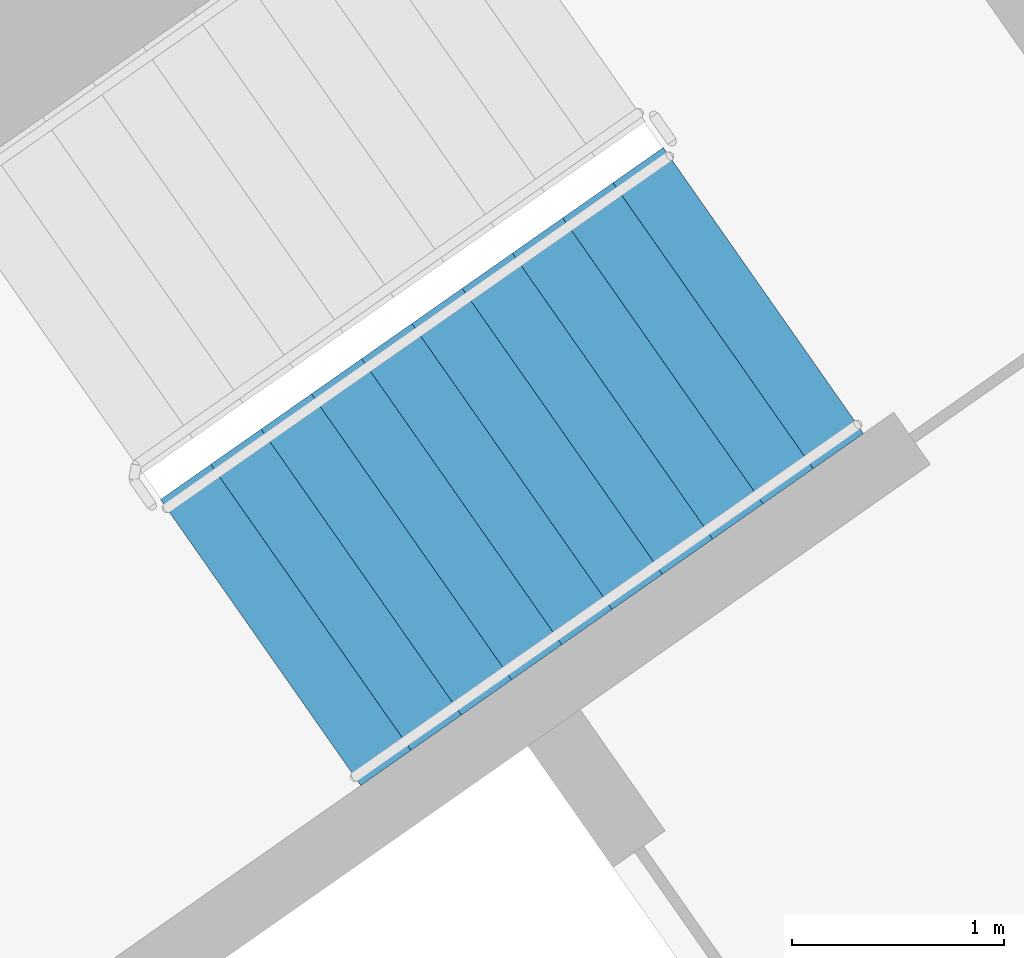
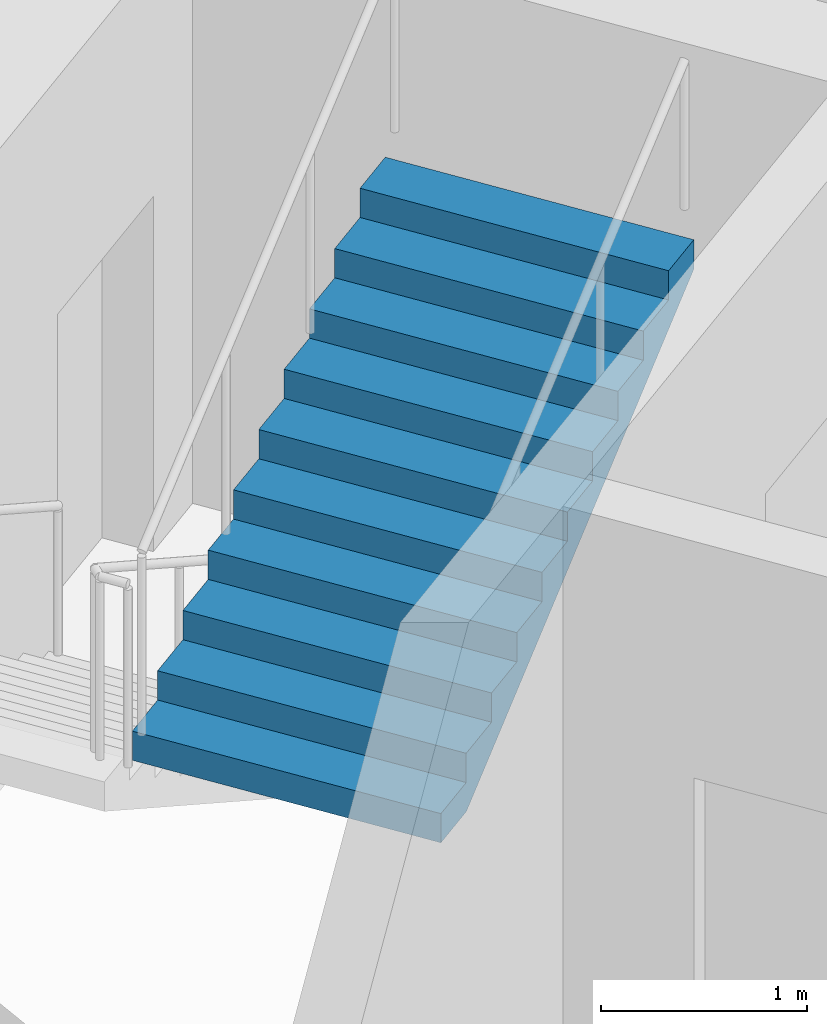
# One storey, part 14 of 28: 1 stair flight, 1 element without a shape of its own.
"""IFC4 building model written with IfcOpenShell, lengths in metres."""

from ifc_helpers import new_model, si_unit, direction, frame, origin, place, context, subcontext, project, spatial, faceted_brep, material, type_object, element, aggregate, save


model = new_model("IFC4")

# Units and contexts
model_context = context("Model", 3, precision=1e-05, world=origin(), true_north=direction((0.0, 1.0)))
body_context = subcontext(model_context, "Body", "Model", "MODEL_VIEW")
ifc_project = project(units=[si_unit("LENGTHUNIT", "METRE"), si_unit("AREAUNIT", "SQUARE_METRE"), si_unit("VOLUMEUNIT", "CUBIC_METRE"), si_unit("PLANEANGLEUNIT", "RADIAN"), si_unit("MASSUNIT", "GRAM", prefix="KILO")], contexts=[model_context])

# Site, building, storey
site_placement = place(None, origin())
site = spatial("IfcSite", under=ifc_project, at=site_placement, CompositionType="ELEMENT")
building_placement = place(site_placement, origin())
building = spatial("IfcBuilding", under=site, at=building_placement, Name="Qamariyya Broadcast Tower", CompositionType="ELEMENT")
storey_placement = place(building_placement, frame((0.0, 0.0, 245.5)))
storey = spatial("IfcBuildingStorey", under=building, at=storey_placement, Name="L59", CompositionType="ELEMENT", Elevation=245.5)

# Stair, stair flight
ifc_material = material(Name="Concrete C50/60", Category="concrete")
stair_type = type_object("IfcStairType", Name="Exit stair 22 risers of 173 mm", PredefinedType="HALF_TURN_STAIR", material=ifc_material)
stair_placement = place(storey_placement, origin())
stair = element("IfcStair", 1, at=stair_placement, inside=storey, type_object=stair_type, Name="L59 Stair E2", PredefinedType="HALF_TURN_STAIR")
stair_flight_type = type_object("IfcStairFlightType", Name="Exit stair flight 11 risers of 173 mm", PredefinedType="STRAIGHT", material=ifc_material)
stair_flight_placement = place(storey_placement, frame((39.215576171875, -50.822998046875, 1.89990234375), z_axis=(0.0, 0.0, 1.0), x_axis=(0.819152044289, 0.573576436351, 0.0)))
stair_flight = element("IfcStairFlight", 2, at=stair_flight_placement, type_object=stair_flight_type, Name="ST-E2 flight 2", NumberOfRisers=11, NumberOfTreads=10, PredefinedType="STRAIGHT", RiserHeight=0.172727273, TreadLength=0.29, context=body_context, shape_type="Brep", body=[
    faceted_brep([(0.0, 0.824951171875, 0.0), (0.0, 0.824951171875, 0.172607421875), (0.2900390625, 0.824951171875, 0.172607421875), (0.2900390625, 0.824951171875, 0.345458984375), (0.580078125, 0.824951171875, 0.345458984375), (0.580078125, 0.824951171875, 0.51806640625), (0.8701171875, 0.824951171875, 0.51806640625), (0.8701171875, 0.824951171875, 0.69091796875), (1.159912109375, 0.824951171875, 0.69091796875), (1.159912109375, 0.824951171875, 0.863525390625), (1.449951171875, 0.824951171875, 0.863525390625), (1.449951171875, 0.824951171875, 1.036376953125), (1.739990234375, 0.824951171875, 1.036376953125), (1.739990234375, 0.824951171875, 1.208984375), (2.030029296875, 0.824951171875, 1.208984375), (2.030029296875, 0.824951171875, 1.3818359375), (2.320068359375, 0.824951171875, 1.3818359375), (2.320068359375, 0.824951171875, 1.554443359375), (2.610107421875, 0.824951171875, 1.554443359375), (2.610107421875, 0.824951171875, 1.727294921875), (2.89990234375, 0.824951171875, 1.727294921875), (2.89990234375, 0.824951171875, 1.552734375), (0.29296875, 0.824951171875, 0.0), (0.29296875, -0.824951171875, 0.0), (2.89990234375, -0.824951171875, 1.552734375), (2.89990234375, -0.824951171875, 1.727294921875), (2.610107421875, -0.824951171875, 1.727294921875), (2.610107421875, -0.824951171875, 1.554443359375), (2.320068359375, -0.824951171875, 1.554443359375), (2.320068359375, -0.824951171875, 1.3818359375), (2.030029296875, -0.824951171875, 1.3818359375), (2.030029296875, -0.824951171875, 1.208984375), (1.739990234375, -0.824951171875, 1.208984375), (1.739990234375, -0.824951171875, 1.036376953125), (1.449951171875, -0.824951171875, 1.036376953125), (1.449951171875, -0.824951171875, 0.863525390625), (1.159912109375, -0.824951171875, 0.863525390625), (1.159912109375, -0.824951171875, 0.69091796875), (0.8701171875, -0.824951171875, 0.69091796875), (0.8701171875, -0.824951171875, 0.51806640625), (0.580078125, -0.824951171875, 0.51806640625), (0.580078125, -0.824951171875, 0.345458984375), (0.2900390625, -0.824951171875, 0.345458984375), (0.2900390625, -0.824951171875, 0.172607421875), (0.0, -0.824951171875, 0.172607421875), (0.0, -0.824951171875, 0.0), (0.0, 0.10009765625, 0.0), (0.0, 0.086669921875, 0.0), (0.0, 0.0732421875, 0.0), (0.0, 0.06005859375, 0.0), (0.0, 0.046630859375, 0.0), (0.0, 0.033447265625, 0.0), (0.0, 0.02001953125, 0.0), (0.0, 0.006591796875, 0.0), (0.0, -0.006591796875, 0.0), (0.0, -0.02001953125, 0.0), (0.0, -0.033447265625, 0.0), (0.0, -0.046630859375, 0.0), (0.0, -0.06005859375, 0.0), (0.0, -0.0732421875, 0.0), (0.0, -0.086669921875, 0.0), (0.0, -0.10009765625, 0.0), (0.0, -0.10009765625, 0.172607421875), (0.0, -0.086669921875, 0.172607421875), (0.0, -0.0732421875, 0.172607421875), (0.0, -0.06005859375, 0.172607421875), (0.0, -0.046630859375, 0.172607421875), (0.0, -0.033447265625, 0.172607421875), (0.0, -0.02001953125, 0.172607421875), (0.0, -0.006591796875, 0.172607421875), (0.0, 0.006591796875, 0.172607421875), (0.0, 0.02001953125, 0.172607421875), (0.0, 0.033447265625, 0.172607421875), (0.0, 0.046630859375, 0.172607421875), (0.0, 0.06005859375, 0.172607421875), (0.0, 0.0732421875, 0.172607421875), (0.0, 0.086669921875, 0.172607421875), (0.0, 0.10009765625, 0.172607421875), (0.2900390625, -0.10009765625, 0.172607421875), (0.2900390625, -0.086669921875, 0.172607421875), (0.2900390625, -0.0732421875, 0.172607421875), (0.2900390625, -0.06005859375, 0.172607421875), (0.2900390625, -0.046630859375, 0.172607421875), (0.2900390625, -0.033447265625, 0.172607421875), (0.2900390625, -0.02001953125, 0.172607421875), (0.2900390625, -0.006591796875, 0.172607421875), (0.2900390625, 0.006591796875, 0.172607421875), (0.2900390625, 0.02001953125, 0.172607421875), (0.2900390625, 0.033447265625, 0.172607421875), (0.2900390625, 0.046630859375, 0.172607421875), (0.2900390625, 0.06005859375, 0.172607421875), (0.2900390625, 0.0732421875, 0.172607421875), (0.2900390625, 0.086669921875, 0.172607421875), (0.2900390625, 0.10009765625, 0.172607421875), (0.2900390625, -0.10009765625, 0.345458984375), (0.2900390625, -0.086669921875, 0.345458984375), (0.2900390625, -0.0732421875, 0.345458984375), (0.2900390625, -0.06005859375, 0.345458984375), (0.2900390625, -0.046630859375, 0.345458984375), (0.2900390625, -0.033447265625, 0.345458984375), (0.2900390625, -0.02001953125, 0.345458984375), (0.2900390625, -0.006591796875, 0.345458984375), (0.2900390625, 0.006591796875, 0.345458984375), (0.2900390625, 0.02001953125, 0.345458984375), (0.2900390625, 0.033447265625, 0.345458984375), (0.2900390625, 0.046630859375, 0.345458984375), (0.2900390625, 0.06005859375, 0.345458984375), (0.2900390625, 0.0732421875, 0.345458984375), (0.2900390625, 0.086669921875, 0.345458984375), (0.2900390625, 0.10009765625, 0.345458984375), (0.580078125, -0.10009765625, 0.345458984375), (0.580078125, -0.086669921875, 0.345458984375), (0.580078125, -0.0732421875, 0.345458984375), (0.580078125, -0.06005859375, 0.345458984375), (0.580078125, -0.046630859375, 0.345458984375), (0.580078125, -0.033447265625, 0.345458984375), (0.580078125, -0.02001953125, 0.345458984375), (0.580078125, -0.006591796875, 0.345458984375), (0.580078125, 0.006591796875, 0.345458984375), (0.580078125, 0.02001953125, 0.345458984375), (0.580078125, 0.033447265625, 0.345458984375), (0.580078125, 0.046630859375, 0.345458984375), (0.580078125, 0.06005859375, 0.345458984375), (0.580078125, 0.0732421875, 0.345458984375), (0.580078125, 0.086669921875, 0.345458984375), (0.580078125, 0.10009765625, 0.345458984375), (0.580078125, -0.10009765625, 0.51806640625), (0.580078125, -0.086669921875, 0.51806640625), (0.580078125, -0.0732421875, 0.51806640625), (0.580078125, -0.06005859375, 0.51806640625), (0.580078125, -0.046630859375, 0.51806640625), (0.580078125, -0.033447265625, 0.51806640625), (0.580078125, -0.02001953125, 0.51806640625), (0.580078125, -0.006591796875, 0.51806640625), (0.580078125, 0.006591796875, 0.51806640625), (0.580078125, 0.02001953125, 0.51806640625), (0.580078125, 0.033447265625, 0.51806640625), (0.580078125, 0.046630859375, 0.51806640625), (0.580078125, 0.06005859375, 0.51806640625), (0.580078125, 0.0732421875, 0.51806640625), (0.580078125, 0.086669921875, 0.51806640625), (0.580078125, 0.10009765625, 0.51806640625), (0.8701171875, -0.10009765625, 0.51806640625), (0.8701171875, -0.086669921875, 0.51806640625), (0.8701171875, -0.0732421875, 0.51806640625), (0.8701171875, -0.06005859375, 0.51806640625), (0.8701171875, -0.046630859375, 0.51806640625), (0.8701171875, -0.033447265625, 0.51806640625), (0.8701171875, -0.02001953125, 0.51806640625), (0.8701171875, -0.006591796875, 0.51806640625), (0.8701171875, 0.006591796875, 0.51806640625), (0.8701171875, 0.02001953125, 0.51806640625), (0.8701171875, 0.033447265625, 0.51806640625), (0.8701171875, 0.046630859375, 0.51806640625), (0.8701171875, 0.06005859375, 0.51806640625), (0.8701171875, 0.0732421875, 0.51806640625), (0.8701171875, 0.086669921875, 0.51806640625), (0.8701171875, 0.10009765625, 0.51806640625), (0.8701171875, -0.10009765625, 0.69091796875), (0.8701171875, -0.086669921875, 0.69091796875), (0.8701171875, -0.0732421875, 0.69091796875), (0.8701171875, -0.06005859375, 0.69091796875), (0.8701171875, -0.046630859375, 0.69091796875), (0.8701171875, -0.033447265625, 0.69091796875), (0.8701171875, -0.02001953125, 0.69091796875), (0.8701171875, -0.006591796875, 0.69091796875), (0.8701171875, 0.006591796875, 0.69091796875), (0.8701171875, 0.02001953125, 0.69091796875), (0.8701171875, 0.033447265625, 0.69091796875), (0.8701171875, 0.046630859375, 0.69091796875), (0.8701171875, 0.06005859375, 0.69091796875), (0.8701171875, 0.0732421875, 0.69091796875), (0.8701171875, 0.086669921875, 0.69091796875), (0.8701171875, 0.10009765625, 0.69091796875), (1.159912109375, -0.10009765625, 0.69091796875), (1.159912109375, -0.086669921875, 0.69091796875), (1.159912109375, -0.0732421875, 0.69091796875), (1.159912109375, -0.06005859375, 0.69091796875), (1.159912109375, -0.046630859375, 0.69091796875), (1.159912109375, -0.033447265625, 0.69091796875), (1.159912109375, -0.02001953125, 0.69091796875), (1.159912109375, -0.006591796875, 0.69091796875), (1.159912109375, 0.006591796875, 0.69091796875), (1.159912109375, 0.02001953125, 0.69091796875), (1.159912109375, 0.033447265625, 0.69091796875), (1.159912109375, 0.046630859375, 0.69091796875), (1.159912109375, 0.06005859375, 0.69091796875), (1.159912109375, 0.0732421875, 0.69091796875), (1.159912109375, 0.086669921875, 0.69091796875), (1.159912109375, 0.10009765625, 0.69091796875), (1.159912109375, -0.10009765625, 0.863525390625), (1.159912109375, -0.086669921875, 0.863525390625), (1.159912109375, -0.0732421875, 0.863525390625), (1.159912109375, -0.06005859375, 0.863525390625), (1.159912109375, -0.046630859375, 0.863525390625), (1.159912109375, -0.033447265625, 0.863525390625), (1.159912109375, -0.02001953125, 0.863525390625), (1.159912109375, -0.006591796875, 0.863525390625), (1.159912109375, 0.006591796875, 0.863525390625), (1.159912109375, 0.02001953125, 0.863525390625), (1.159912109375, 0.033447265625, 0.863525390625), (1.159912109375, 0.046630859375, 0.863525390625), (1.159912109375, 0.06005859375, 0.863525390625), (1.159912109375, 0.0732421875, 0.863525390625), (1.159912109375, 0.086669921875, 0.863525390625), (1.159912109375, 0.10009765625, 0.863525390625), (1.449951171875, -0.10009765625, 0.863525390625), (1.449951171875, -0.086669921875, 0.863525390625), (1.449951171875, -0.0732421875, 0.863525390625), (1.449951171875, -0.06005859375, 0.863525390625), (1.449951171875, -0.046630859375, 0.863525390625), (1.449951171875, -0.033447265625, 0.863525390625), (1.449951171875, -0.02001953125, 0.863525390625), (1.449951171875, -0.006591796875, 0.863525390625), (1.449951171875, 0.006591796875, 0.863525390625), (1.449951171875, 0.02001953125, 0.863525390625), (1.449951171875, 0.033447265625, 0.863525390625), (1.449951171875, 0.046630859375, 0.863525390625), (1.449951171875, 0.06005859375, 0.863525390625), (1.449951171875, 0.0732421875, 0.863525390625), (1.449951171875, 0.086669921875, 0.863525390625), (1.449951171875, 0.10009765625, 0.863525390625), (1.449951171875, -0.10009765625, 1.036376953125), (1.449951171875, -0.086669921875, 1.036376953125), (1.449951171875, -0.0732421875, 1.036376953125), (1.449951171875, -0.06005859375, 1.036376953125), (1.449951171875, -0.046630859375, 1.036376953125), (1.449951171875, -0.033447265625, 1.036376953125), (1.449951171875, -0.02001953125, 1.036376953125), (1.449951171875, -0.006591796875, 1.036376953125), (1.449951171875, 0.006591796875, 1.036376953125), (1.449951171875, 0.02001953125, 1.036376953125), (1.449951171875, 0.033447265625, 1.036376953125), (1.449951171875, 0.046630859375, 1.036376953125), (1.449951171875, 0.06005859375, 1.036376953125), (1.449951171875, 0.0732421875, 1.036376953125), (1.449951171875, 0.086669921875, 1.036376953125), (1.449951171875, 0.10009765625, 1.036376953125), (1.739990234375, -0.10009765625, 1.036376953125), (1.739990234375, -0.086669921875, 1.036376953125), (1.739990234375, -0.0732421875, 1.036376953125), (1.739990234375, -0.06005859375, 1.036376953125), (1.739990234375, -0.046630859375, 1.036376953125), (1.739990234375, -0.033447265625, 1.036376953125), (1.739990234375, -0.02001953125, 1.036376953125), (1.739990234375, -0.006591796875, 1.036376953125), (1.739990234375, 0.006591796875, 1.036376953125), (1.739990234375, 0.02001953125, 1.036376953125), (1.739990234375, 0.033447265625, 1.036376953125), (1.739990234375, 0.046630859375, 1.036376953125), (1.739990234375, 0.06005859375, 1.036376953125), (1.739990234375, 0.0732421875, 1.036376953125), (1.739990234375, 0.086669921875, 1.036376953125), (1.739990234375, 0.10009765625, 1.036376953125), (1.739990234375, -0.10009765625, 1.208984375), (1.739990234375, -0.086669921875, 1.208984375), (1.739990234375, -0.0732421875, 1.208984375), (1.739990234375, -0.06005859375, 1.208984375), (1.739990234375, -0.046630859375, 1.208984375), (1.739990234375, -0.033447265625, 1.208984375), (1.739990234375, -0.02001953125, 1.208984375), (1.739990234375, -0.006591796875, 1.208984375), (1.739990234375, 0.006591796875, 1.208984375), (1.739990234375, 0.02001953125, 1.208984375), (1.739990234375, 0.033447265625, 1.208984375), (1.739990234375, 0.046630859375, 1.208984375), (1.739990234375, 0.06005859375, 1.208984375), (1.739990234375, 0.0732421875, 1.208984375), (1.739990234375, 0.086669921875, 1.208984375), (1.739990234375, 0.10009765625, 1.208984375), (2.030029296875, -0.10009765625, 1.208984375), (2.030029296875, -0.086669921875, 1.208984375), (2.030029296875, -0.0732421875, 1.208984375), (2.030029296875, -0.06005859375, 1.208984375), (2.030029296875, -0.046630859375, 1.208984375), (2.030029296875, -0.033447265625, 1.208984375), (2.030029296875, -0.02001953125, 1.208984375), (2.030029296875, -0.006591796875, 1.208984375), (2.030029296875, 0.006591796875, 1.208984375), (2.030029296875, 0.02001953125, 1.208984375), (2.030029296875, 0.033447265625, 1.208984375), (2.030029296875, 0.046630859375, 1.208984375), (2.030029296875, 0.06005859375, 1.208984375), (2.030029296875, 0.0732421875, 1.208984375), (2.030029296875, 0.086669921875, 1.208984375), (2.030029296875, 0.10009765625, 1.208984375), (2.030029296875, -0.10009765625, 1.3818359375), (2.030029296875, -0.086669921875, 1.3818359375), (2.030029296875, -0.0732421875, 1.3818359375), (2.030029296875, -0.06005859375, 1.3818359375), (2.030029296875, -0.046630859375, 1.3818359375), (2.030029296875, -0.033447265625, 1.3818359375), (2.030029296875, -0.02001953125, 1.3818359375), (2.030029296875, -0.006591796875, 1.3818359375), (2.030029296875, 0.006591796875, 1.3818359375), (2.030029296875, 0.02001953125, 1.3818359375), (2.030029296875, 0.033447265625, 1.3818359375), (2.030029296875, 0.046630859375, 1.3818359375), (2.030029296875, 0.06005859375, 1.3818359375), (2.030029296875, 0.0732421875, 1.3818359375), (2.030029296875, 0.086669921875, 1.3818359375), (2.030029296875, 0.10009765625, 1.3818359375), (2.320068359375, -0.10009765625, 1.3818359375), (2.320068359375, -0.086669921875, 1.3818359375), (2.320068359375, -0.0732421875, 1.3818359375), (2.320068359375, -0.06005859375, 1.3818359375), (2.320068359375, -0.046630859375, 1.3818359375), (2.320068359375, -0.033447265625, 1.3818359375), (2.320068359375, -0.02001953125, 1.3818359375), (2.320068359375, -0.006591796875, 1.3818359375), (2.320068359375, 0.006591796875, 1.3818359375), (2.320068359375, 0.02001953125, 1.3818359375), (2.320068359375, 0.033447265625, 1.3818359375), (2.320068359375, 0.046630859375, 1.3818359375), (2.320068359375, 0.06005859375, 1.3818359375), (2.320068359375, 0.0732421875, 1.3818359375), (2.320068359375, 0.086669921875, 1.3818359375), (2.320068359375, 0.10009765625, 1.3818359375), (2.320068359375, -0.10009765625, 1.554443359375), (2.320068359375, -0.086669921875, 1.554443359375), (2.320068359375, -0.0732421875, 1.554443359375), (2.320068359375, -0.06005859375, 1.554443359375), (2.320068359375, -0.046630859375, 1.554443359375), (2.320068359375, -0.033447265625, 1.554443359375), (2.320068359375, -0.02001953125, 1.554443359375), (2.320068359375, -0.006591796875, 1.554443359375), (2.320068359375, 0.006591796875, 1.554443359375), (2.320068359375, 0.02001953125, 1.554443359375), (2.320068359375, 0.033447265625, 1.554443359375), (2.320068359375, 0.046630859375, 1.554443359375), (2.320068359375, 0.06005859375, 1.554443359375), (2.320068359375, 0.0732421875, 1.554443359375), (2.320068359375, 0.086669921875, 1.554443359375), (2.320068359375, 0.10009765625, 1.554443359375), (2.610107421875, -0.10009765625, 1.554443359375), (2.610107421875, -0.086669921875, 1.554443359375), (2.610107421875, -0.0732421875, 1.554443359375), (2.610107421875, -0.06005859375, 1.554443359375), (2.610107421875, -0.046630859375, 1.554443359375), (2.610107421875, -0.033447265625, 1.554443359375), (2.610107421875, -0.02001953125, 1.554443359375), (2.610107421875, -0.006591796875, 1.554443359375), (2.610107421875, 0.006591796875, 1.554443359375), (2.610107421875, 0.02001953125, 1.554443359375), (2.610107421875, 0.033447265625, 1.554443359375), (2.610107421875, 0.046630859375, 1.554443359375), (2.610107421875, 0.06005859375, 1.554443359375), (2.610107421875, 0.0732421875, 1.554443359375), (2.610107421875, 0.086669921875, 1.554443359375), (2.610107421875, 0.10009765625, 1.554443359375), (2.610107421875, -0.10009765625, 1.727294921875), (2.610107421875, -0.086669921875, 1.727294921875), (2.610107421875, -0.0732421875, 1.727294921875), (2.610107421875, -0.06005859375, 1.727294921875), (2.610107421875, -0.046630859375, 1.727294921875), (2.610107421875, -0.033447265625, 1.727294921875), (2.610107421875, -0.02001953125, 1.727294921875), (2.610107421875, -0.006591796875, 1.727294921875), (2.610107421875, 0.006591796875, 1.727294921875), (2.610107421875, 0.02001953125, 1.727294921875), (2.610107421875, 0.033447265625, 1.727294921875), (2.610107421875, 0.046630859375, 1.727294921875), (2.610107421875, 0.06005859375, 1.727294921875), (2.610107421875, 0.0732421875, 1.727294921875), (2.610107421875, 0.086669921875, 1.727294921875), (2.610107421875, 0.10009765625, 1.727294921875), (2.89990234375, -0.10009765625, 1.727294921875), (2.89990234375, -0.086669921875, 1.727294921875), (2.89990234375, -0.0732421875, 1.727294921875), (2.89990234375, -0.06005859375, 1.727294921875), (2.89990234375, -0.046630859375, 1.727294921875), (2.89990234375, -0.033447265625, 1.727294921875), (2.89990234375, -0.02001953125, 1.727294921875), (2.89990234375, -0.006591796875, 1.727294921875), (2.89990234375, 0.006591796875, 1.727294921875), (2.89990234375, 0.02001953125, 1.727294921875), (2.89990234375, 0.033447265625, 1.727294921875), (2.89990234375, 0.046630859375, 1.727294921875), (2.89990234375, 0.06005859375, 1.727294921875), (2.89990234375, 0.0732421875, 1.727294921875), (2.89990234375, 0.086669921875, 1.727294921875), (2.89990234375, 0.10009765625, 1.727294921875), (2.89990234375, -0.10009765625, 1.552734375), (2.89990234375, -0.086669921875, 1.552734375), (2.89990234375, -0.0732421875, 1.552734375), (2.89990234375, -0.06005859375, 1.552734375), (2.89990234375, -0.046630859375, 1.552734375), (2.89990234375, -0.033447265625, 1.552734375), (2.89990234375, -0.02001953125, 1.552734375), (2.89990234375, -0.006591796875, 1.552734375), (2.89990234375, 0.006591796875, 1.552734375), (2.89990234375, 0.02001953125, 1.552734375), (2.89990234375, 0.033447265625, 1.552734375), (2.89990234375, 0.046630859375, 1.552734375), (2.89990234375, 0.06005859375, 1.552734375), (2.89990234375, 0.0732421875, 1.552734375), (2.89990234375, 0.086669921875, 1.552734375), (2.89990234375, 0.10009765625, 1.552734375), (0.29296875, -0.10009765625, 0.0), (0.29296875, -0.086669921875, 0.0), (0.29296875, -0.0732421875, 0.0), (0.29296875, -0.06005859375, 0.0), (0.29296875, -0.046630859375, 0.0), (0.29296875, -0.033447265625, 0.0), (0.29296875, -0.02001953125, 0.0), (0.29296875, -0.006591796875, 0.0), (0.29296875, 0.006591796875, 0.0), (0.29296875, 0.02001953125, 0.0), (0.29296875, 0.033447265625, 0.0), (0.29296875, 0.046630859375, 0.0), (0.29296875, 0.06005859375, 0.0), (0.29296875, 0.0732421875, 0.0), (0.29296875, 0.086669921875, 0.0), (0.29296875, 0.10009765625, 0.0)], [[[0, 1, 2, 3, 4, 5, 6, 7, 8, 9, 10, 11, 12, 13, 14, 15, 16, 17, 18, 19, 20, 21, 22]], [[23, 24, 25, 26, 27, 28, 29, 30, 31, 32, 33, 34, 35, 36, 37, 38, 39, 40, 41, 42, 43, 44, 45]], [[0, 46, 47, 48, 49, 50, 51, 52, 53, 54, 55, 56, 57, 58, 59, 60, 61, 45, 44, 62, 63, 64, 65, 66, 67, 68, 69, 70, 71, 72, 73, 74, 75, 76, 77, 1]], [[1, 77, 76, 75, 74, 73, 72, 71, 70, 69, 68, 67, 66, 65, 64, 63, 62, 44, 43, 78, 79, 80, 81, 82, 83, 84, 85, 86, 87, 88, 89, 90, 91, 92, 93, 2]], [[2, 93, 92, 91, 90, 89, 88, 87, 86, 85, 84, 83, 82, 81, 80, 79, 78, 43, 42, 94, 95, 96, 97, 98, 99, 100, 101, 102, 103, 104, 105, 106, 107, 108, 109, 3]], [[3, 109, 108, 107, 106, 105, 104, 103, 102, 101, 100, 99, 98, 97, 96, 95, 94, 42, 41, 110, 111, 112, 113, 114, 115, 116, 117, 118, 119, 120, 121, 122, 123, 124, 125, 4]], [[4, 125, 124, 123, 122, 121, 120, 119, 118, 117, 116, 115, 114, 113, 112, 111, 110, 41, 40, 126, 127, 128, 129, 130, 131, 132, 133, 134, 135, 136, 137, 138, 139, 140, 141, 5]], [[5, 141, 140, 139, 138, 137, 136, 135, 134, 133, 132, 131, 130, 129, 128, 127, 126, 40, 39, 142, 143, 144, 145, 146, 147, 148, 149, 150, 151, 152, 153, 154, 155, 156, 157, 6]], [[6, 157, 156, 155, 154, 153, 152, 151, 150, 149, 148, 147, 146, 145, 144, 143, 142, 39, 38, 158, 159, 160, 161, 162, 163, 164, 165, 166, 167, 168, 169, 170, 171, 172, 173, 7]], [[7, 173, 172, 171, 170, 169, 168, 167, 166, 165, 164, 163, 162, 161, 160, 159, 158, 38, 37, 174, 175, 176, 177, 178, 179, 180, 181, 182, 183, 184, 185, 186, 187, 188, 189, 8]], [[8, 189, 188, 187, 186, 185, 184, 183, 182, 181, 180, 179, 178, 177, 176, 175, 174, 37, 36, 190, 191, 192, 193, 194, 195, 196, 197, 198, 199, 200, 201, 202, 203, 204, 205, 9]], [[9, 205, 204, 203, 202, 201, 200, 199, 198, 197, 196, 195, 194, 193, 192, 191, 190, 36, 35, 206, 207, 208, 209, 210, 211, 212, 213, 214, 215, 216, 217, 218, 219, 220, 221, 10]], [[10, 221, 220, 219, 218, 217, 216, 215, 214, 213, 212, 211, 210, 209, 208, 207, 206, 35, 34, 222, 223, 224, 225, 226, 227, 228, 229, 230, 231, 232, 233, 234, 235, 236, 237, 11]], [[11, 237, 236, 235, 234, 233, 232, 231, 230, 229, 228, 227, 226, 225, 224, 223, 222, 34, 33, 238, 239, 240, 241, 242, 243, 244, 245, 246, 247, 248, 249, 250, 251, 252, 253, 12]], [[12, 253, 252, 251, 250, 249, 248, 247, 246, 245, 244, 243, 242, 241, 240, 239, 238, 33, 32, 254, 255, 256, 257, 258, 259, 260, 261, 262, 263, 264, 265, 266, 267, 268, 269, 13]], [[13, 269, 268, 267, 266, 265, 264, 263, 262, 261, 260, 259, 258, 257, 256, 255, 254, 32, 31, 270, 271, 272, 273, 274, 275, 276, 277, 278, 279, 280, 281, 282, 283, 284, 285, 14]], [[14, 285, 284, 283, 282, 281, 280, 279, 278, 277, 276, 275, 274, 273, 272, 271, 270, 31, 30, 286, 287, 288, 289, 290, 291, 292, 293, 294, 295, 296, 297, 298, 299, 300, 301, 15]], [[15, 301, 300, 299, 298, 297, 296, 295, 294, 293, 292, 291, 290, 289, 288, 287, 286, 30, 29, 302, 303, 304, 305, 306, 307, 308, 309, 310, 311, 312, 313, 314, 315, 316, 317, 16]], [[16, 317, 316, 315, 314, 313, 312, 311, 310, 309, 308, 307, 306, 305, 304, 303, 302, 29, 28, 318, 319, 320, 321, 322, 323, 324, 325, 326, 327, 328, 329, 330, 331, 332, 333, 17]], [[17, 333, 332, 331, 330, 329, 328, 327, 326, 325, 324, 323, 322, 321, 320, 319, 318, 28, 27, 334, 335, 336, 337, 338, 339, 340, 341, 342, 343, 344, 345, 346, 347, 348, 349, 18]], [[18, 349, 348, 347, 346, 345, 344, 343, 342, 341, 340, 339, 338, 337, 336, 335, 334, 27, 26, 350, 351, 352, 353, 354, 355, 356, 357, 358, 359, 360, 361, 362, 363, 364, 365, 19]], [[19, 365, 364, 363, 362, 361, 360, 359, 358, 357, 356, 355, 354, 353, 352, 351, 350, 26, 25, 366, 367, 368, 369, 370, 371, 372, 373, 374, 375, 376, 377, 378, 379, 380, 381, 20]], [[20, 381, 380, 379, 378, 377, 376, 375, 374, 373, 372, 371, 370, 369, 368, 367, 366, 25, 24, 382, 383, 384, 385, 386, 387, 388, 389, 390, 391, 392, 393, 394, 395, 396, 397, 21]], [[21, 397, 396, 395, 394, 393, 392, 391, 390, 389, 388, 387, 386, 385, 384, 383, 382, 24, 23, 398, 399, 400, 401, 402, 403, 404, 405, 406, 407, 408, 409, 410, 411, 412, 413, 22]], [[22, 413, 412, 411, 410, 409, 408, 407, 406, 405, 404, 403, 402, 401, 400, 399, 398, 23, 45, 61, 60, 59, 58, 57, 56, 55, 54, 53, 52, 51, 50, 49, 48, 47, 46, 0]]]),
])
aggregate(stair, [stair_flight])

save(model, "model.ifc")
